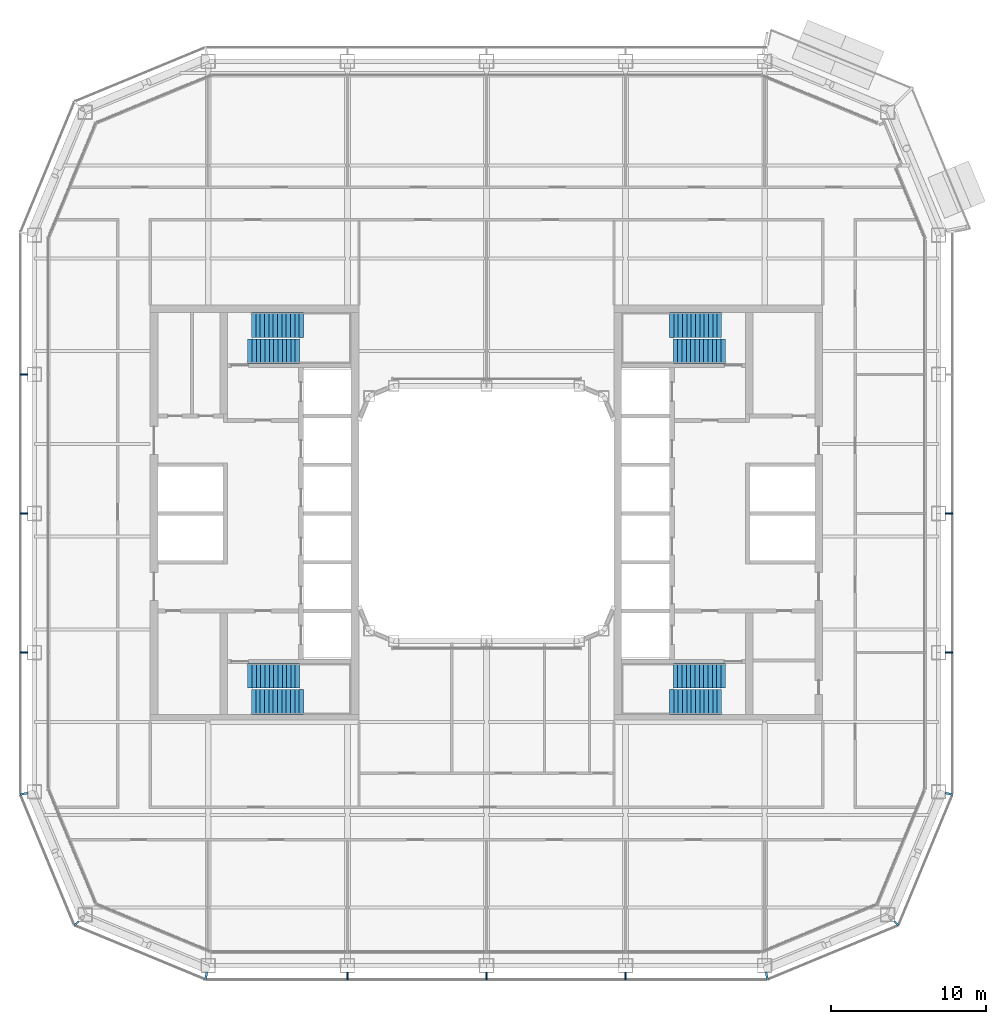
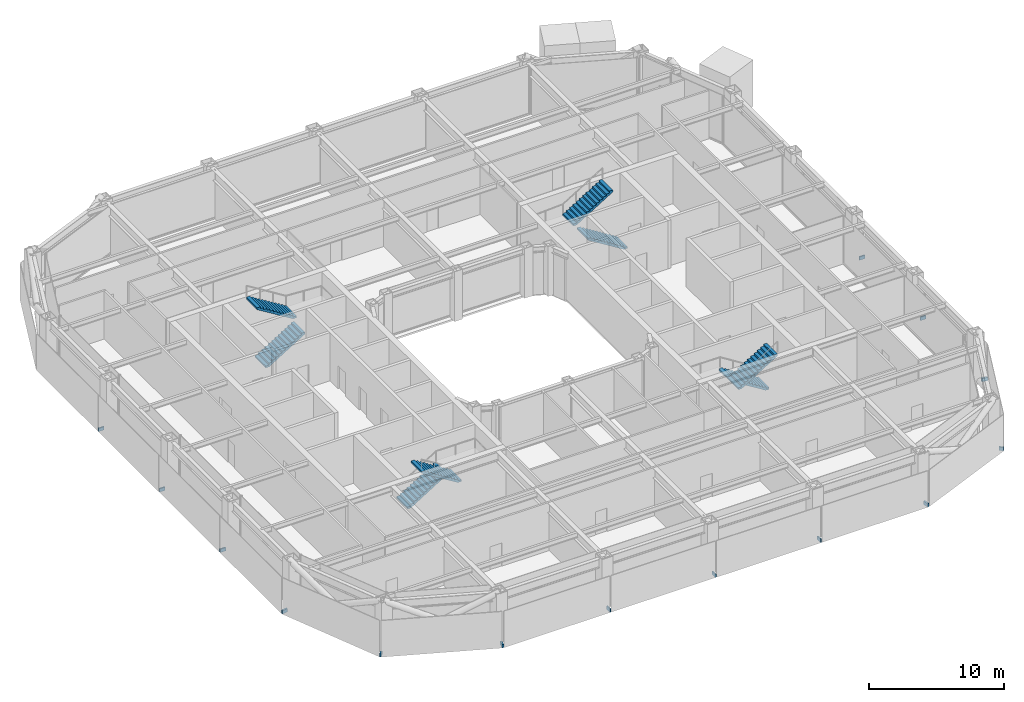
# One storey, part 15 of 23: 14 discrete accessories, 8 stair flights, 4 elements without a shape of their own.
"""IFC4 building model written with IfcOpenShell, lengths in metres."""

from ifc_helpers import new_model, si_unit, direction, frame, origin, origin_2d, place, context, subcontext, project, spatial, polyline, rectangle, outline, extrude, material, type_object, element, aggregate, save


model = new_model("IFC4")

# Units and contexts
model_context = context("Model", 3, precision=1e-05, world=origin(), true_north=direction((0.0, 1.0)))
body_context = subcontext(model_context, "Body", "Model", "MODEL_VIEW")
ifc_project = project(units=[si_unit("LENGTHUNIT", "METRE"), si_unit("AREAUNIT", "SQUARE_METRE"), si_unit("VOLUMEUNIT", "CUBIC_METRE"), si_unit("PLANEANGLEUNIT", "RADIAN"), si_unit("MASSUNIT", "GRAM", prefix="KILO")], contexts=[model_context])

# Site, building, storey
site_placement = place(None, origin())
site = spatial("IfcSite", under=ifc_project, at=site_placement, CompositionType="ELEMENT")
building_placement = place(site_placement, origin())
building = spatial("IfcBuilding", under=site, at=building_placement, Name="Siwar Civic Tower", CompositionType="ELEMENT")
storey_placement = place(building_placement, frame((0.0, 0.0, 131.699951171875)))
storey = spatial("IfcBuildingStorey", under=building, at=storey_placement, Name="L28", CompositionType="ELEMENT", Elevation=131.699951171875)

# Stair, stair flights
ifc_material_1 = material(Name="Concrete C40/50", Category="concrete")
stair_type = type_object("IfcStairType", Name="CORE-STAIR", PredefinedType="TWO_STRAIGHT_RUN_STAIR", material=ifc_material_1)
stair_1_placement = place(storey_placement, origin())
stair_1 = element("IfcStair", 1, at=stair_1_placement, inside=storey, type_object=stair_type, Name="Exit stair ST1", PredefinedType="TWO_STRAIGHT_RUN_STAIR")
ifc_material_2 = material(Name="Concrete C40/50", Category="concrete")
stair_flight_type = type_object("IfcStairFlightType", Name="CORE-STAIR-FLIGHT", PredefinedType="STRAIGHT", material=ifc_material_2)
stair_flight_1_placement = place(storey_placement, frame((-15.449951171875, 10.5, 0.0), z_axis=(0.0, 0.0, 1.0), x_axis=(1.0, 0.0, 0.0)))
stair_flight_1 = element("IfcStairFlight", 2, at=stair_flight_1_placement, type_object=stair_flight_type, Name="ST1 flight 1", NumberOfRisers=13, NumberOfTreads=12, PredefinedType="STRAIGHT", RiserHeight=0.173076923, TreadLength=0.28, context=body_context, shape_type="SweptSolid", body=[
    extrude(outline(polyline([(0.0, 0.0), (0.0, 0.173095703125), (0.280029296875, 0.173095703125), (0.280029296875, 0.34619140625), (0.56005859375, 0.34619140625), (0.56005859375, 0.519287109375), (0.840087890625, 0.519287109375), (0.840087890625, 0.6923828125), (1.1201171875, 0.6923828125), (1.1201171875, 0.865478515625), (1.39990234375, 0.865478515625), (1.39990234375, 1.03857421875), (1.679931640625, 1.03857421875), (1.679931640625, 1.21142578125), (1.9599609375, 1.21142578125), (1.9599609375, 1.384521484375), (2.239990234375, 1.384521484375), (2.239990234375, 1.5576171875), (2.52001953125, 1.5576171875), (2.52001953125, 1.730712890625), (2.800048828125, 1.730712890625), (2.800048828125, 1.90380859375), (3.080078125, 1.90380859375), (3.080078125, 2.076904296875), (3.360107421875, 2.076904296875), (3.360107421875, 2.25), (3.360107421875, 1.900634765625), (0.28515625, 0.0), (0.0, 0.0)])), frame((0.0, 0.800048828125, 0.0), z_axis=(0.0, -1.0, 0.0), x_axis=(1.0, 0.0, 0.0)), (0.0, 0.0, 1.0), 1.60009765625),
])
stair_flight_2_placement = place(storey_placement, frame((-11.840087890625, 12.199951171875, 2.25), z_axis=(0.0, 0.0, 1.0), x_axis=(-1.0, 0.0, 0.0)))
stair_flight_2 = element("IfcStairFlight", 3, at=stair_flight_2_placement, type_object=stair_flight_type, Name="ST1 flight 2", NumberOfRisers=13, NumberOfTreads=12, PredefinedType="STRAIGHT", RiserHeight=0.173076923, TreadLength=0.28, context=body_context, shape_type="SweptSolid", body=[
    extrude(outline(polyline([(0.0, 0.0), (0.0, 0.173095703125), (0.280029296875, 0.173095703125), (0.280029296875, 0.34619140625), (0.56005859375, 0.34619140625), (0.56005859375, 0.519287109375), (0.840087890625, 0.519287109375), (0.840087890625, 0.6923828125), (1.1201171875, 0.6923828125), (1.1201171875, 0.865478515625), (1.39990234375, 0.865478515625), (1.39990234375, 1.03857421875), (1.679931640625, 1.03857421875), (1.679931640625, 1.21142578125), (1.9599609375, 1.21142578125), (1.9599609375, 1.384521484375), (2.239990234375, 1.384521484375), (2.239990234375, 1.5576171875), (2.52001953125, 1.5576171875), (2.52001953125, 1.730712890625), (2.800048828125, 1.730712890625), (2.800048828125, 1.90380859375), (3.080078125, 1.90380859375), (3.080078125, 2.076904296875), (3.360107421875, 2.076904296875), (3.360107421875, 2.25), (3.360107421875, 1.900634765625), (0.28515625, 0.0), (0.0, 0.0)])), frame((0.0, 0.800048828125, 0.0), z_axis=(0.0, -1.0, 0.0), x_axis=(1.0, 0.0, 0.0)), (0.0, 0.0, 1.0), 1.60009765625),
])
aggregate(stair_1, [stair_flight_1, stair_flight_2])

stair_2_placement = place(storey_placement, origin())
stair_2 = element("IfcStair", 4, at=stair_2_placement, inside=storey, type_object=stair_type, Name="Exit stair ST2", PredefinedType="TWO_STRAIGHT_RUN_STAIR")
stair_flight_3_placement = place(storey_placement, frame((-15.449951171875, -10.5, 0.0), z_axis=(0.0, 0.0, 1.0), x_axis=(1.0, 0.0, 0.0)))
stair_flight_3 = element("IfcStairFlight", 5, at=stair_flight_3_placement, type_object=stair_flight_type, Name="ST2 flight 1", NumberOfRisers=13, NumberOfTreads=12, PredefinedType="STRAIGHT", RiserHeight=0.173076923, TreadLength=0.28, context=body_context, shape_type="SweptSolid", body=[
    extrude(outline(polyline([(0.0, 0.0), (0.0, 0.173095703125), (0.280029296875, 0.173095703125), (0.280029296875, 0.34619140625), (0.56005859375, 0.34619140625), (0.56005859375, 0.519287109375), (0.840087890625, 0.519287109375), (0.840087890625, 0.6923828125), (1.1201171875, 0.6923828125), (1.1201171875, 0.865478515625), (1.39990234375, 0.865478515625), (1.39990234375, 1.03857421875), (1.679931640625, 1.03857421875), (1.679931640625, 1.21142578125), (1.9599609375, 1.21142578125), (1.9599609375, 1.384521484375), (2.239990234375, 1.384521484375), (2.239990234375, 1.5576171875), (2.52001953125, 1.5576171875), (2.52001953125, 1.730712890625), (2.800048828125, 1.730712890625), (2.800048828125, 1.90380859375), (3.080078125, 1.90380859375), (3.080078125, 2.076904296875), (3.360107421875, 2.076904296875), (3.360107421875, 2.25), (3.360107421875, 1.900634765625), (0.28515625, 0.0), (0.0, 0.0)])), frame((0.0, 0.800048828125, 0.0), z_axis=(0.0, -1.0, 0.0), x_axis=(1.0, 0.0, 0.0)), (0.0, 0.0, 1.0), 1.60009765625),
])
stair_flight_4_placement = place(storey_placement, frame((-11.840087890625, -12.199951171875, 2.25), z_axis=(0.0, 0.0, 1.0), x_axis=(-1.0, 0.0, 0.0)))
stair_flight_4 = element("IfcStairFlight", 6, at=stair_flight_4_placement, type_object=stair_flight_type, Name="ST2 flight 2", NumberOfRisers=13, NumberOfTreads=12, PredefinedType="STRAIGHT", RiserHeight=0.173076923, TreadLength=0.28, context=body_context, shape_type="SweptSolid", body=[
    extrude(outline(polyline([(0.0, 0.0), (0.0, 0.173095703125), (0.280029296875, 0.173095703125), (0.280029296875, 0.34619140625), (0.56005859375, 0.34619140625), (0.56005859375, 0.519287109375), (0.840087890625, 0.519287109375), (0.840087890625, 0.6923828125), (1.1201171875, 0.6923828125), (1.1201171875, 0.865478515625), (1.39990234375, 0.865478515625), (1.39990234375, 1.03857421875), (1.679931640625, 1.03857421875), (1.679931640625, 1.21142578125), (1.9599609375, 1.21142578125), (1.9599609375, 1.384521484375), (2.239990234375, 1.384521484375), (2.239990234375, 1.5576171875), (2.52001953125, 1.5576171875), (2.52001953125, 1.730712890625), (2.800048828125, 1.730712890625), (2.800048828125, 1.90380859375), (3.080078125, 1.90380859375), (3.080078125, 2.076904296875), (3.360107421875, 2.076904296875), (3.360107421875, 2.25), (3.360107421875, 1.900634765625), (0.28515625, 0.0), (0.0, 0.0)])), frame((0.0, 0.800048828125, 0.0), z_axis=(0.0, -1.0, 0.0), x_axis=(1.0, 0.0, 0.0)), (0.0, 0.0, 1.0), 1.60009765625),
])
aggregate(stair_2, [stair_flight_3, stair_flight_4])

stair_3_placement = place(storey_placement, origin())
stair_3 = element("IfcStair", 7, at=stair_3_placement, inside=storey, type_object=stair_type, Name="Exit stair ST3", PredefinedType="TWO_STRAIGHT_RUN_STAIR")
stair_flight_5_placement = place(storey_placement, frame((15.449951171875, 10.5, 0.0), z_axis=(0.0, 0.0, 1.0), x_axis=(-1.0, 0.0, 0.0)))
stair_flight_5 = element("IfcStairFlight", 8, at=stair_flight_5_placement, type_object=stair_flight_type, Name="ST3 flight 1", NumberOfRisers=13, NumberOfTreads=12, PredefinedType="STRAIGHT", RiserHeight=0.173076923, TreadLength=0.28, context=body_context, shape_type="SweptSolid", body=[
    extrude(outline(polyline([(0.0, 0.0), (0.0, 0.173095703125), (0.280029296875, 0.173095703125), (0.280029296875, 0.34619140625), (0.56005859375, 0.34619140625), (0.56005859375, 0.519287109375), (0.840087890625, 0.519287109375), (0.840087890625, 0.6923828125), (1.1201171875, 0.6923828125), (1.1201171875, 0.865478515625), (1.39990234375, 0.865478515625), (1.39990234375, 1.03857421875), (1.679931640625, 1.03857421875), (1.679931640625, 1.21142578125), (1.9599609375, 1.21142578125), (1.9599609375, 1.384521484375), (2.239990234375, 1.384521484375), (2.239990234375, 1.5576171875), (2.52001953125, 1.5576171875), (2.52001953125, 1.730712890625), (2.800048828125, 1.730712890625), (2.800048828125, 1.90380859375), (3.080078125, 1.90380859375), (3.080078125, 2.076904296875), (3.360107421875, 2.076904296875), (3.360107421875, 2.25), (3.360107421875, 1.900634765625), (0.28515625, 0.0), (0.0, 0.0)])), frame((0.0, 0.800048828125, 0.0), z_axis=(0.0, -1.0, 0.0), x_axis=(1.0, 0.0, 0.0)), (0.0, 0.0, 1.0), 1.60009765625),
])
stair_flight_6_placement = place(storey_placement, frame((11.840087890625, 12.199951171875, 2.25), z_axis=(0.0, 0.0, 1.0), x_axis=(1.0, 0.0, 0.0)))
stair_flight_6 = element("IfcStairFlight", 9, at=stair_flight_6_placement, type_object=stair_flight_type, Name="ST3 flight 2", NumberOfRisers=13, NumberOfTreads=12, PredefinedType="STRAIGHT", RiserHeight=0.173076923, TreadLength=0.28, context=body_context, shape_type="SweptSolid", body=[
    extrude(outline(polyline([(0.0, 0.0), (0.0, 0.173095703125), (0.280029296875, 0.173095703125), (0.280029296875, 0.34619140625), (0.56005859375, 0.34619140625), (0.56005859375, 0.519287109375), (0.840087890625, 0.519287109375), (0.840087890625, 0.6923828125), (1.1201171875, 0.6923828125), (1.1201171875, 0.865478515625), (1.39990234375, 0.865478515625), (1.39990234375, 1.03857421875), (1.679931640625, 1.03857421875), (1.679931640625, 1.21142578125), (1.9599609375, 1.21142578125), (1.9599609375, 1.384521484375), (2.239990234375, 1.384521484375), (2.239990234375, 1.5576171875), (2.52001953125, 1.5576171875), (2.52001953125, 1.730712890625), (2.800048828125, 1.730712890625), (2.800048828125, 1.90380859375), (3.080078125, 1.90380859375), (3.080078125, 2.076904296875), (3.360107421875, 2.076904296875), (3.360107421875, 2.25), (3.360107421875, 1.900634765625), (0.28515625, 0.0), (0.0, 0.0)])), frame((0.0, 0.800048828125, 0.0), z_axis=(0.0, -1.0, 0.0), x_axis=(1.0, 0.0, 0.0)), (0.0, 0.0, 1.0), 1.60009765625),
])
aggregate(stair_3, [stair_flight_5, stair_flight_6])

stair_4_placement = place(storey_placement, origin())
stair_4 = element("IfcStair", 10, at=stair_4_placement, inside=storey, type_object=stair_type, Name="Exit stair ST4", PredefinedType="TWO_STRAIGHT_RUN_STAIR")
stair_flight_7_placement = place(storey_placement, frame((15.449951171875, -10.5, 0.0), z_axis=(0.0, 0.0, 1.0), x_axis=(-1.0, 0.0, 0.0)))
stair_flight_7 = element("IfcStairFlight", 11, at=stair_flight_7_placement, type_object=stair_flight_type, Name="ST4 flight 1", NumberOfRisers=13, NumberOfTreads=12, PredefinedType="STRAIGHT", RiserHeight=0.173076923, TreadLength=0.28, context=body_context, shape_type="SweptSolid", body=[
    extrude(outline(polyline([(0.0, 0.0), (0.0, 0.173095703125), (0.280029296875, 0.173095703125), (0.280029296875, 0.34619140625), (0.56005859375, 0.34619140625), (0.56005859375, 0.519287109375), (0.840087890625, 0.519287109375), (0.840087890625, 0.6923828125), (1.1201171875, 0.6923828125), (1.1201171875, 0.865478515625), (1.39990234375, 0.865478515625), (1.39990234375, 1.03857421875), (1.679931640625, 1.03857421875), (1.679931640625, 1.21142578125), (1.9599609375, 1.21142578125), (1.9599609375, 1.384521484375), (2.239990234375, 1.384521484375), (2.239990234375, 1.5576171875), (2.52001953125, 1.5576171875), (2.52001953125, 1.730712890625), (2.800048828125, 1.730712890625), (2.800048828125, 1.90380859375), (3.080078125, 1.90380859375), (3.080078125, 2.076904296875), (3.360107421875, 2.076904296875), (3.360107421875, 2.25), (3.360107421875, 1.900634765625), (0.28515625, 0.0), (0.0, 0.0)])), frame((0.0, 0.800048828125, 0.0), z_axis=(0.0, -1.0, 0.0), x_axis=(1.0, 0.0, 0.0)), (0.0, 0.0, 1.0), 1.60009765625),
])
stair_flight_8_placement = place(storey_placement, frame((11.840087890625, -12.199951171875, 2.25), z_axis=(0.0, 0.0, 1.0), x_axis=(1.0, 0.0, 0.0)))
stair_flight_8 = element("IfcStairFlight", 12, at=stair_flight_8_placement, type_object=stair_flight_type, Name="ST4 flight 2", NumberOfRisers=13, NumberOfTreads=12, PredefinedType="STRAIGHT", RiserHeight=0.173076923, TreadLength=0.28, context=body_context, shape_type="SweptSolid", body=[
    extrude(outline(polyline([(0.0, 0.0), (0.0, 0.173095703125), (0.280029296875, 0.173095703125), (0.280029296875, 0.34619140625), (0.56005859375, 0.34619140625), (0.56005859375, 0.519287109375), (0.840087890625, 0.519287109375), (0.840087890625, 0.6923828125), (1.1201171875, 0.6923828125), (1.1201171875, 0.865478515625), (1.39990234375, 0.865478515625), (1.39990234375, 1.03857421875), (1.679931640625, 1.03857421875), (1.679931640625, 1.21142578125), (1.9599609375, 1.21142578125), (1.9599609375, 1.384521484375), (2.239990234375, 1.384521484375), (2.239990234375, 1.5576171875), (2.52001953125, 1.5576171875), (2.52001953125, 1.730712890625), (2.800048828125, 1.730712890625), (2.800048828125, 1.90380859375), (3.080078125, 1.90380859375), (3.080078125, 2.076904296875), (3.360107421875, 2.076904296875), (3.360107421875, 2.25), (3.360107421875, 1.900634765625), (0.28515625, 0.0), (0.0, 0.0)])), frame((0.0, 0.800048828125, 0.0), z_axis=(0.0, -1.0, 0.0), x_axis=(1.0, 0.0, 0.0)), (0.0, 0.0, 1.0), 1.60009765625),
])
aggregate(stair_4, [stair_flight_7, stair_flight_8])

# Discrete accessories
ifc_material_3 = material(Name="Stainless steel 316", Category="steel")
discrete_accessory_type = type_object("IfcDiscreteAccessoryType", Name="ENV-BRACKET", PredefinedType="BRACKET", material=ifc_material_3)
for number, where, z_axis, x_axis, name in (
    (13, (29.9150390625, -9.0, -0.14990234375), (0.0, 0.0, 1.0), (1.0, 0.0, 0.0), "Bracket outer skin joint E-01"),
    (14, (29.9150390625, 0.0, -0.14990234375), (0.0, 0.0, 1.0), (1.0, 0.0, 0.0), "Bracket outer skin joint E-02"),
    (15, (-9.0, -29.9150390625, -0.14990234375), (0.0, 0.0, 1.0), (0.0, -1.0, 0.0), "Bracket outer skin joint S-01"),
    (16, (0.0, -29.9150390625, -0.14990234375), (0.0, 0.0, 1.0), (0.0, -1.0, 0.0), "Bracket outer skin joint S-02"),
    (17, (9.0, -29.9150390625, -0.14990234375), (0.0, 0.0, 1.0), (0.0, -1.0, 0.0), "Bracket outer skin joint S-03"),
):
    element("IfcDiscreteAccessory", number, at=place(storey_placement, frame(where, z_axis=z_axis, x_axis=x_axis)), inside=storey, type_object=discrete_accessory_type, Name=name, PredefinedType="BRACKET", context=body_context, shape_type="SweptSolid", body=[
        extrude(rectangle(XDim=0.469970703125, YDim=0.10009765625, at=origin_2d()), origin(), (0.0, 0.0, 1.0), 0.300048828125),
    ])
for number, where, z_axis, x_axis, name in (
    (18, (-18.13232421875, -29.915283203125, -0.14990234375), (0.0, 0.0, 1.0), (-0.195090322016, -0.980785280403, 0.0), "Bracket outer skin joint V00"),
    (19, (18.13232421875, -29.915283203125, -0.14990234375), (0.0, 0.0, 1.0), (0.195090322016, -0.980785280403, 0.0), "Bracket outer skin joint V01"),
):
    element("IfcDiscreteAccessory", number, at=place(storey_placement, frame(where, z_axis=z_axis, x_axis=x_axis)), inside=storey, type_object=discrete_accessory_type, Name=name, PredefinedType="BRACKET", context=body_context, shape_type="SweptSolid", body=[
        extrude(rectangle(XDim=0.478759765625, YDim=0.13720703125, at=origin_2d()), origin(), (0.0, 0.0, 1.0), 0.300048828125),
    ])
discrete_accessory_1_placement = place(storey_placement, frame((26.517333984375, -26.517333984375, -0.14990234375), z_axis=(0.0, 0.0, 1.0), x_axis=(0.707106781187, -0.707106781187, 0.0)))
element("IfcDiscreteAccessory", 20, at=discrete_accessory_1_placement, inside=storey, type_object=discrete_accessory_type, Name="Bracket outer skin joint V02", PredefinedType="BRACKET", context=body_context, shape_type="SweptSolid", body=[
    extrude(rectangle(XDim=0.357666015625, YDim=0.12939453125, at=origin_2d()), origin(), (0.0, 0.0, 1.0), 0.300048828125),
])
for number, where, z_axis, x_axis, name in (
    (21, (29.915283203125, -18.13232421875, -0.14990234375), (0.0, 0.0, 1.0), (0.980785280403, -0.195090322016, 0.0), "Bracket outer skin joint V03"),
    (22, (-29.915283203125, -18.13232421875, -0.14990234375), (0.0, 0.0, 1.0), (-0.980785280403, -0.195090322016, 0.0), "Bracket outer skin joint V10"),
):
    element("IfcDiscreteAccessory", number, at=place(storey_placement, frame(where, z_axis=z_axis, x_axis=x_axis)), inside=storey, type_object=discrete_accessory_type, Name=name, PredefinedType="BRACKET", context=body_context, shape_type="SweptSolid", body=[
        extrude(rectangle(XDim=0.478759765625, YDim=0.13720703125, at=origin_2d()), origin(), (0.0, 0.0, 1.0), 0.300048828125),
    ])
discrete_accessory_2_placement = place(storey_placement, frame((-26.517333984375, -26.517333984375, -0.14990234375), z_axis=(0.0, 0.0, 1.0), x_axis=(-0.707106781187, -0.707106781187, 0.0)))
element("IfcDiscreteAccessory", 23, at=discrete_accessory_2_placement, inside=storey, type_object=discrete_accessory_type, Name="Bracket outer skin joint V11", PredefinedType="BRACKET", context=body_context, shape_type="SweptSolid", body=[
    extrude(rectangle(XDim=0.357666015625, YDim=0.12939453125, at=origin_2d()), origin(), (0.0, 0.0, 1.0), 0.300048828125),
])
for number, where, z_axis, x_axis, name in (
    (24, (-29.9150390625, 9.0, -0.14990234375), (0.0, 0.0, 1.0), (-1.0, 0.0, 0.0), "Bracket outer skin joint W-01"),
    (25, (-29.9150390625, 0.0, -0.14990234375), (0.0, 0.0, 1.0), (-1.0, 0.0, 0.0), "Bracket outer skin joint W-02"),
    (26, (-29.9150390625, -9.0, -0.14990234375), (0.0, 0.0, 1.0), (-1.0, 0.0, 0.0), "Bracket outer skin joint W-03"),
):
    element("IfcDiscreteAccessory", number, at=place(storey_placement, frame(where, z_axis=z_axis, x_axis=x_axis)), inside=storey, type_object=discrete_accessory_type, Name=name, PredefinedType="BRACKET", context=body_context, shape_type="SweptSolid", body=[
        extrude(rectangle(XDim=0.469970703125, YDim=0.10009765625, at=origin_2d()), origin(), (0.0, 0.0, 1.0), 0.300048828125),
    ])

save(model, "model.ifc")
